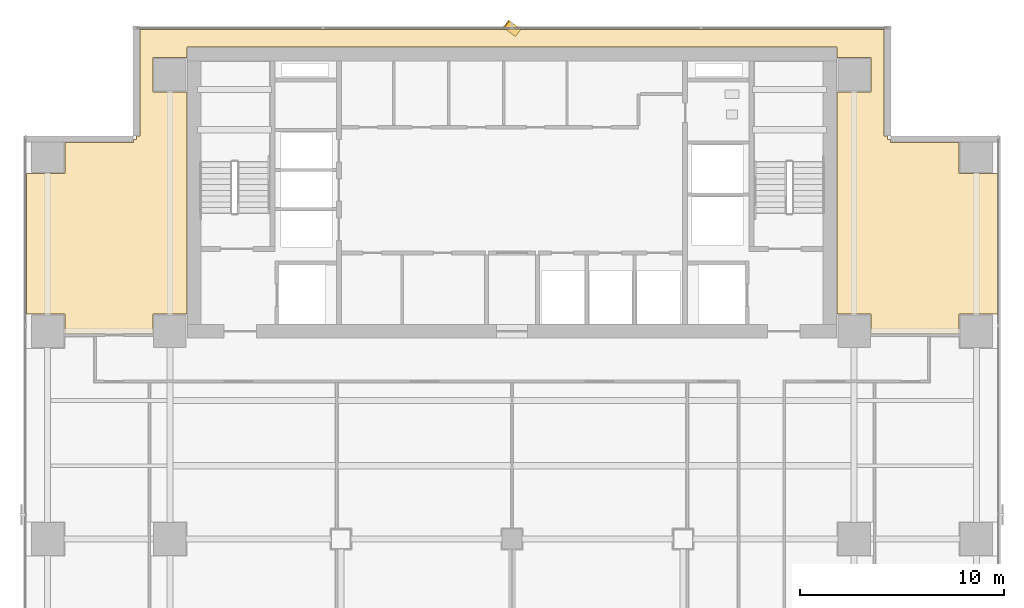
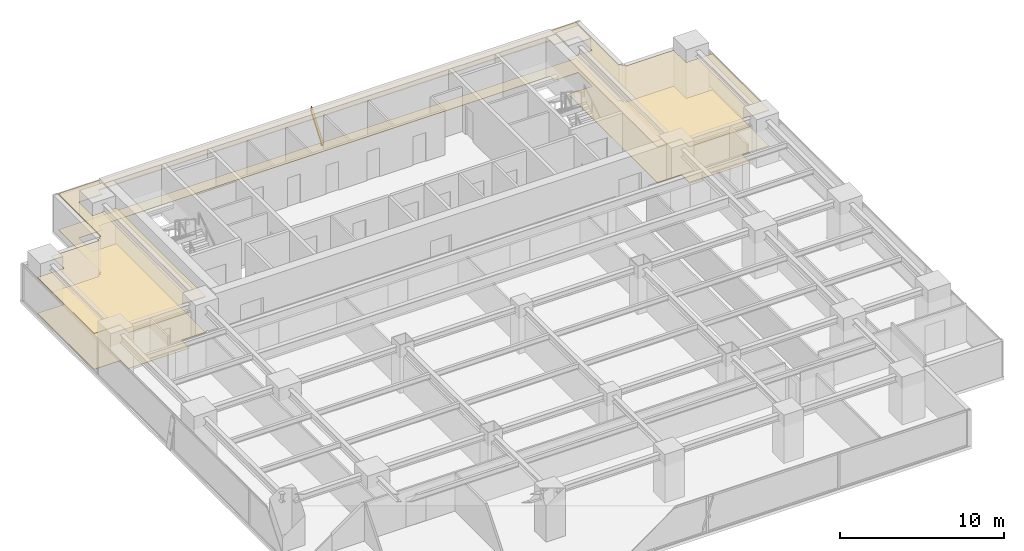
# One storey, part 26 of 28: 2 coverings, 1 shading device.
"""IFC4 building model written with IfcOpenShell, lengths in metres."""

import ifcopenshell
import ifcopenshell.guid

model = None  # the IFC model being written
_history = None  # IfcOwnerHistory: only IFC2X3 demands one
_inside = {}  # id of a spatial element -> (the spatial element, [elements in it])
_under = {}  # id of a project, library or spatial element -> (it, [spatial elements below it])
_declared = {}  # id of a project -> (the project, [libraries it declares])
_typed = {}  # id of a type object -> (the type object, [elements of that type])
_made_of = {}  # id of a material, layer set ... -> (it, [elements and type objects made of it])


def new_model(schema):
    """Start an empty IFC model of exactly this schema.

    Asked for "IFC4X3", IfcOpenShell would pick the latest addendum, in which some entities
    have other attributes; the version numbers below select the first issue.
    IFC2X3 requires an IfcOwnerHistory on every rooted entity: one is made here for all.
    """
    global model, _history
    if schema == "IFC4X3":
        model = ifcopenshell.file(schema_version=(4, 3, 0, 0))
    else:
        model = ifcopenshell.file(schema=schema)
    _inside.clear()
    _under.clear()
    _declared.clear()
    _typed.clear()
    _made_of.clear()
    _history = None
    if model.schema == "IFC2X3":
        org = make("IfcOrganization", Name="unknown")
        user = make(
            "IfcPersonAndOrganization",
            ThePerson=make("IfcPerson", FamilyName="unknown"),
            TheOrganization=org,
        )
        app = make(
            "IfcApplication",
            ApplicationDeveloper=org,
            Version="unknown",
            ApplicationFullName="unknown",
            ApplicationIdentifier="unknown",
        )
        _history = make(
            "IfcOwnerHistory",
            OwningUser=user,
            OwningApplication=app,
            ChangeAction="ADDED",
            CreationDate=0,
        )
    return model


def make(cls, **values):
    """One entity of the class cls with the attributes given. An attribute that is None is left unset."""
    return model.create_entity(
        cls, **{name: value for name, value in values.items() if value is not None}
    )


def rooted(cls, **values):
    """An entity with a GlobalId (a new one), such as an element, a storey or a relation."""
    return make(cls, GlobalId=ifcopenshell.guid.new(), OwnerHistory=_history, **values)


def si_unit(unit_type, name, prefix=None):
    """IfcSIUnit, for example si_unit("LENGTHUNIT", "METRE", prefix="MILLI")."""
    return make("IfcSIUnit", UnitType=unit_type, Prefix=prefix, Name=name)


def assignment(units):
    """IfcUnitAssignment: the units of a project."""
    return None if units is None else make("IfcUnitAssignment", Units=units)


def point(xyz):
    """IfcCartesianPoint."""
    return None if xyz is None else make("IfcCartesianPoint", Coordinates=xyz)


def direction(xyz):
    """IfcDirection."""
    return None if xyz is None else make("IfcDirection", DirectionRatios=xyz)


def frame(location, z_axis=None, x_axis=None):
    """IfcAxis2Placement3D, a coordinate frame: its origin and axes. An axis left out is left unset."""
    return make(
        "IfcAxis2Placement3D",
        Location=point(location),
        Axis=direction(z_axis),
        RefDirection=direction(x_axis),
    )


def frame_2d(location, x_axis=None):
    """IfcAxis2Placement2D, a coordinate frame in the plane: its origin and x axis."""
    return make(
        "IfcAxis2Placement2D", Location=point(location), RefDirection=direction(x_axis)
    )


def origin():
    """The frame at (0, 0, 0) with its axes left unset."""
    return frame((0.0, 0.0, 0.0))


def origin_2d():
    """The frame at (0, 0) in the plane with its x axis left unset."""
    return frame_2d((0.0, 0.0))


def place(relative_to, where):
    """IfcLocalPlacement: puts the frame where relative to a parent placement (None: the world)."""
    return make(
        "IfcLocalPlacement", PlacementRelTo=relative_to, RelativePlacement=where
    )


def context(
    kind, dimensions, precision=None, world=None, true_north=None, identifier=None
):
    """IfcGeometricRepresentationContext, for example the 3D "Model" context."""
    return make(
        "IfcGeometricRepresentationContext",
        ContextIdentifier=identifier,
        ContextType=kind,
        CoordinateSpaceDimension=dimensions,
        Precision=precision,
        WorldCoordinateSystem=world,
        TrueNorth=true_north,
    )


def subcontext(parent, identifier, kind, view, scale=None):
    """IfcGeometricRepresentationSubContext, for example "Body" below "Model"."""
    return make(
        "IfcGeometricRepresentationSubContext",
        ContextIdentifier=identifier,
        ContextType=kind,
        ParentContext=parent,
        TargetScale=scale,
        TargetView=view,
    )


def project(units=None, contexts=None):
    """IfcProject with its units and contexts."""
    return rooted(
        "IfcProject",
        Name="project",
        RepresentationContexts=contexts,
        UnitsInContext=assignment(units),
    )


def spatial(cls, under=None, at=None, **own):
    """A site, building, storey or space (cls), placed at a placement, below another one or the project."""
    s = rooted(cls, ObjectPlacement=at, **own)
    if under is not None:
        _under.setdefault(under.id(), (under, []))[1].append(s)
    return s


def polyline(points):
    """IfcPolyline through the points."""
    return make("IfcPolyline", Points=[point(p) for p in points])


def profile(cls, at=None, kind="AREA", **sizes):
    """A parametric profile (cls). Its sizes go by their IFC names, for example OverallWidth=200.0."""
    return make(cls, ProfileType=kind, Position=at, **sizes)


def rectangle(**sizes):
    """IfcRectangleProfileDef."""
    return profile("IfcRectangleProfileDef", **sizes)


def outline(outer, holes=None, kind="AREA"):
    """IfcArbitraryClosedProfileDef: a profile drawn as a closed curve; with holes, ...WithVoids."""
    if holes is None:
        return make("IfcArbitraryClosedProfileDef", ProfileType=kind, OuterCurve=outer)
    return make(
        "IfcArbitraryProfileDefWithVoids",
        ProfileType=kind,
        OuterCurve=outer,
        InnerCurves=holes,
    )


def extrude(swept, where, along, depth):
    """IfcExtrudedAreaSolid: the profile swept, set in the frame where, extruded along a direction by depth."""
    return make(
        "IfcExtrudedAreaSolid",
        SweptArea=swept,
        Position=where,
        ExtrudedDirection=direction(along),
        Depth=depth,
    )


def shape(context_of_items, identifier, shape_type, items):
    """IfcShapeRepresentation: the items that make up one representation, for example the "Body"."""
    return make(
        "IfcShapeRepresentation",
        ContextOfItems=context_of_items,
        RepresentationIdentifier=identifier,
        RepresentationType=shape_type,
        Items=items,
    )


def source(mapping_origin, context_of_items, identifier, shape_type, items):
    """IfcRepresentationMap: a shape defined once, which mapped items show again and again."""
    return make(
        "IfcRepresentationMap",
        MappingOrigin=mapping_origin,
        MappedRepresentation=shape(context_of_items, identifier, shape_type, items),
    )


def transform(
    local_origin,
    x_axis=None,
    y_axis=None,
    z_axis=None,
    scale=None,
    scale2=None,
    scale3=None,
    uniform=True,
):
    """IfcCartesianTransformationOperator3D, or its non-uniform kind. x_axis, y_axis, z_axis: its Axis1, 2, 3."""
    if uniform:
        return make(
            "IfcCartesianTransformationOperator3D",
            Axis1=direction(x_axis),
            Axis2=direction(y_axis),
            LocalOrigin=point(local_origin),
            Scale=scale,
            Axis3=direction(z_axis),
        )
    return make(
        "IfcCartesianTransformationOperator3DnonUniform",
        Axis1=direction(x_axis),
        Axis2=direction(y_axis),
        LocalOrigin=point(local_origin),
        Scale=scale,
        Axis3=direction(z_axis),
        Scale2=scale2,
        Scale3=scale3,
    )


def mapped(mapping_source, mapping_target):
    """IfcMappedItem: shows the shape of a source again, moved by a transform."""
    return make(
        "IfcMappedItem", MappingSource=mapping_source, MappingTarget=mapping_target
    )


def material(Name=None, Category=None):
    """IfcMaterial."""
    return make("IfcMaterial", Name=Name, Category=Category)


def layer(
    of_material, thickness, ventilated=None, Name=None, Category=None, Priority=None
):
    """IfcMaterialLayer: one layer of a wall or slab, of a material (None: an air gap)."""
    return make(
        "IfcMaterialLayer",
        Material=of_material,
        LayerThickness=thickness,
        IsVentilated=ventilated,
        Name=Name,
        Category=Category,
        Priority=Priority,
    )


def layer_set(layers, Name=None):
    """IfcMaterialLayerSet."""
    return make("IfcMaterialLayerSet", MaterialLayers=layers, LayerSetName=Name)


def material_profile(
    of_material, cross_section, Name=None, Category=None, Priority=None
):
    """IfcMaterialProfile: a cross section and its material."""
    return make(
        "IfcMaterialProfile",
        Name=Name,
        Material=of_material,
        Profile=cross_section,
        Priority=Priority,
        Category=Category,
    )


def profile_set(profiles, Name=None, composite=None):
    """IfcMaterialProfileSet."""
    return make(
        "IfcMaterialProfileSet",
        Name=Name,
        MaterialProfiles=profiles,
        CompositeProfile=composite,
    )


def made_of(thing, what):
    """Note that an element or type object is made of a material, layer set ...; save() writes the relation."""
    if what is not None:
        _made_of.setdefault(what.id(), (what, []))[1].append(thing)
    return thing


def type_object(cls, material=None, **own):
    """A type object (cls), such as IfcWallType, which elements share."""
    return made_of(rooted(cls, **own), material)


def element(
    cls,
    number,
    at=None,
    inside=None,
    cuts=None,
    type_object=None,
    material=None,
    context=None,
    identifier="Body",
    shape_type=None,
    held_by="IfcProductDefinitionShape",
    body=None,
    shapes=None,
    **own,
):
    """One element of the class cls, such as IfcWall. Its Tag is "e" and its number.

    at: its placement. inside: the storey or other place that contains it. cuts: it is an
    opening in that element (IfcRelVoidsElement). A single representation is given by context,
    identifier, shape_type and body (its items); several are given by shapes. held_by: the class
    of the entity that holds the representations. save() writes the other relations.
    """
    e = rooted(cls, Tag="e%d" % number, ObjectPlacement=at, **own)
    if body is not None:
        shapes = [shape(context, identifier, shape_type, body)]
    if shapes is not None:
        e.Representation = make(held_by, Representations=shapes)
    if inside is not None:
        _inside.setdefault(inside.id(), (inside, []))[1].append(e)
    if cuts is not None:
        rooted(
            "IfcRelVoidsElement", RelatingBuildingElement=cuts, RelatedOpeningElement=e
        )
    if type_object is not None:
        _typed.setdefault(type_object.id(), (type_object, []))[1].append(e)
    return made_of(e, material)


def aggregate(whole, parts):
    """IfcRelAggregates: a whole, such as a stair, and the parts it consists of."""
    return rooted("IfcRelAggregates", RelatingObject=whole, RelatedObjects=parts)


def save(model, path):
    """Write the relations noted so far, then the file.

    IfcRelAggregates (storeys below a building ...), IfcRelContainedInSpatialStructure (elements
    in a storey), IfcRelDefinesByType, IfcRelAssociatesMaterial and IfcRelDeclares: one each for
    every whole, place, type object, material and project.
    """
    for whole, parts in _under.values():
        aggregate(whole, parts)
    for where, things in _inside.values():
        rooted(
            "IfcRelContainedInSpatialStructure",
            RelatedElements=things,
            RelatingStructure=where,
        )
    for kind, things in _typed.values():
        rooted("IfcRelDefinesByType", RelatedObjects=things, RelatingType=kind)
    for what, things in _made_of.values():
        rooted("IfcRelAssociatesMaterial", RelatedObjects=things, RelatingMaterial=what)
    for by, libraries in _declared.values():
        rooted("IfcRelDeclares", RelatingContext=by, RelatedDefinitions=libraries)
    model.write(path)


model = new_model("IFC4")

# Units and contexts
model_context = context("Model", 3, precision=1e-05, world=origin(), true_north=direction((0.0, 1.0)))
body_context = subcontext(model_context, "Body", "Model", "MODEL_VIEW")
ifc_project = project(units=[si_unit("LENGTHUNIT", "METRE"), si_unit("AREAUNIT", "SQUARE_METRE"), si_unit("VOLUMEUNIT", "CUBIC_METRE"), si_unit("PLANEANGLEUNIT", "RADIAN"), si_unit("MASSUNIT", "GRAM", prefix="KILO")], contexts=[model_context])

# Site, building, storey
site_placement = place(None, origin())
site = spatial("IfcSite", under=ifc_project, at=site_placement, CompositionType="ELEMENT")
building_placement = place(site_placement, origin())
building = spatial("IfcBuilding", under=site, at=building_placement, Name="Sumidabori Civic Tower", CompositionType="ELEMENT")
storey_placement = place(building_placement, frame((0.0, 0.0, 185.60009765625)))
storey = spatial("IfcBuildingStorey", under=building, at=storey_placement, Name="L48", CompositionType="ELEMENT", Elevation=185.60009765625)

# Coverings
ifc_material_1 = material(Name="Gypsum Coffered Acoustic Ceiling")
ifc_layer_1 = layer(ifc_material_1, 0.06494140625, Name="Gypsum Coffered Acoustic Ceiling")
ifc_layer_set_1 = layer_set([ifc_layer_1], Name="Gypsum Coffered Acoustic Ceiling")
covering_type_1 = type_object("IfcCoveringType", Name="CV-CEIL-AC4", PredefinedType="CEILING", material=ifc_layer_set_1)
covering_1_placement = place(storey_placement, frame((0.0, 0.0, 2.64990234375)))
element("IfcCovering", 1, at=covering_1_placement, inside=storey, type_object=covering_type_1, Name="Room Acoustic Ceiling L48-01", PredefinedType="CEILING", context=body_context, shape_type="SweptSolid", body=[
    extrude(outline(polyline([(-23.830078125, 17.9599609375), (-21.9599609375, 17.9599609375), (-21.9599609375, 19.471923828125), (-18.592041015625, 19.471923828125), (-18.592041015625, 19.6298828125), (-18.429931640625, 19.6298828125), (-18.429931640625, 19.7919921875), (-18.27197265625, 19.7919921875), (-18.27197265625, 25.030029296875), (18.27197265625, 25.030029296875), (18.27197265625, 19.7919921875), (18.429931640625, 19.7919921875), (18.429931640625, 19.6298828125), (18.592041015625, 19.6298828125), (18.592041015625, 19.471923828125), (21.9599609375, 19.471923828125), (21.9599609375, 17.9599609375), (23.830078125, 17.9599609375), (23.830078125, 11.0400390625), (21.9599609375, 11.0400390625), (21.9599609375, 10.080078125), (20.5400390625, 10.080078125), (20.5400390625, 10.090087890625), (17.639892578125, 10.090087890625), (17.639892578125, 11.0400390625), (15.952880859375, 11.0400390625), (15.952880859375, 21.9599609375), (17.639892578125, 21.9599609375), (17.639892578125, 23.639892578125), (15.952880859375, 23.639892578125), (15.952880859375, 24.153076171875), (-15.952880859375, 24.153076171875), (-15.952880859375, 23.639892578125), (-17.639892578125, 23.639892578125), (-17.639892578125, 21.9599609375), (-15.952880859375, 21.9599609375), (-15.952880859375, 11.0400390625), (-17.639892578125, 11.0400390625), (-17.639892578125, 10.090087890625), (-20.5400390625, 10.090087890625), (-20.5400390625, 10.080078125), (-21.9599609375, 10.080078125), (-21.9599609375, 11.0400390625), (-23.830078125, 11.0400390625), (-23.830078125, 17.9599609375)])), origin(), (0.0, 0.0, 1.0), 0.06494140625),
])
ifc_material_2 = material(Name="Honed Terrazzo Tile Flooring")
ifc_layer_2 = layer(ifc_material_2, 0.030029296875, Name="Honed Terrazzo Tile Flooring")
ifc_layer_set_2 = layer_set([ifc_layer_2], Name="Honed Terrazzo Tile Flooring")
covering_type_2 = type_object("IfcCoveringType", Name="CV-FLR-TER", PredefinedType="FLOORING", material=ifc_layer_set_2)
covering_2_placement = place(storey_placement, origin())
element("IfcCovering", 2, at=covering_2_placement, inside=storey, type_object=covering_type_2, Name="Room Terrazzo Floor L48-01", PredefinedType="FLOORING", context=body_context, shape_type="SweptSolid", body=[
    extrude(outline(polyline([(-23.830078125, 17.9599609375), (-21.9599609375, 17.9599609375), (-21.9599609375, 19.471923828125), (-18.592041015625, 19.471923828125), (-18.592041015625, 19.6298828125), (-18.429931640625, 19.6298828125), (-18.429931640625, 19.7919921875), (-18.27197265625, 19.7919921875), (-18.27197265625, 25.030029296875), (18.27197265625, 25.030029296875), (18.27197265625, 19.7919921875), (18.429931640625, 19.7919921875), (18.429931640625, 19.6298828125), (18.592041015625, 19.6298828125), (18.592041015625, 19.471923828125), (21.9599609375, 19.471923828125), (21.9599609375, 17.9599609375), (23.830078125, 17.9599609375), (23.830078125, 11.0400390625), (21.9599609375, 11.0400390625), (21.9599609375, 10.080078125), (20.5400390625, 10.080078125), (20.5400390625, 10.090087890625), (17.639892578125, 10.090087890625), (17.639892578125, 11.0400390625), (15.952880859375, 11.0400390625), (15.952880859375, 21.9599609375), (17.639892578125, 21.9599609375), (17.639892578125, 23.639892578125), (15.952880859375, 23.639892578125), (15.952880859375, 24.153076171875), (-15.952880859375, 24.153076171875), (-15.952880859375, 23.639892578125), (-17.639892578125, 23.639892578125), (-17.639892578125, 21.9599609375), (-15.952880859375, 21.9599609375), (-15.952880859375, 11.0400390625), (-17.639892578125, 11.0400390625), (-17.639892578125, 10.090087890625), (-20.5400390625, 10.090087890625), (-20.5400390625, 10.080078125), (-21.9599609375, 10.080078125), (-21.9599609375, 11.0400390625), (-23.830078125, 11.0400390625), (-23.830078125, 17.9599609375)])), origin(), (0.0, 0.0, 1.0), 0.02978515625),
])

# Shading device
ifc_material_3 = material(Name="Anodised Bronze Aluminium AW-6063-T6", Category="aluminium")
ifc_material_profile = material_profile(ifc_material_3, rectangle(XDim=0.06005859375, YDim=0.449951171875, at=origin_2d()), Name="BRONZE FIN 450x60")
ifc_profile_set = profile_set([ifc_material_profile], Name="Anodised Bronze Aluminium AW-6063-T6")
shading_device_type = type_object("IfcShadingDeviceType", Name="SH-FIN-450", PredefinedType="USERDEFINED", material=ifc_profile_set)
shared_shape = source(origin(), body_context, "Body", "SweptSolid", [
    extrude(rectangle(XDim=0.06005859375, YDim=0.449951171875, at=origin_2d()), origin(), (0.0, 0.0, 1.0), 2.711669921875),
])
shading_device_placement = place(storey_placement, frame((0.280029296875, 24.8701171875, 0.02001953125), z_axis=(-0.206528258987, 0.154851179363, 0.966109305664), x_axis=(0.772968305533, -0.579557753059, 0.258133317319)))
element("IfcShadingDevice", 3, at=shading_device_placement, inside=storey, type_object=shading_device_type, Name="Bronze Anodised Diagonal Fin L48-02", ObjectType="FIN", PredefinedType="USERDEFINED", context=body_context, shape_type="MappedRepresentation", body=[
    mapped(shared_shape, transform((0.0, 0.0, 0.0), x_axis=(1.0, 0.0, 0.0), y_axis=(0.0, 1.0, 0.0), z_axis=(0.0, 0.0, 1.0), scale=1.0)),
])

save(model, "model.ifc")
